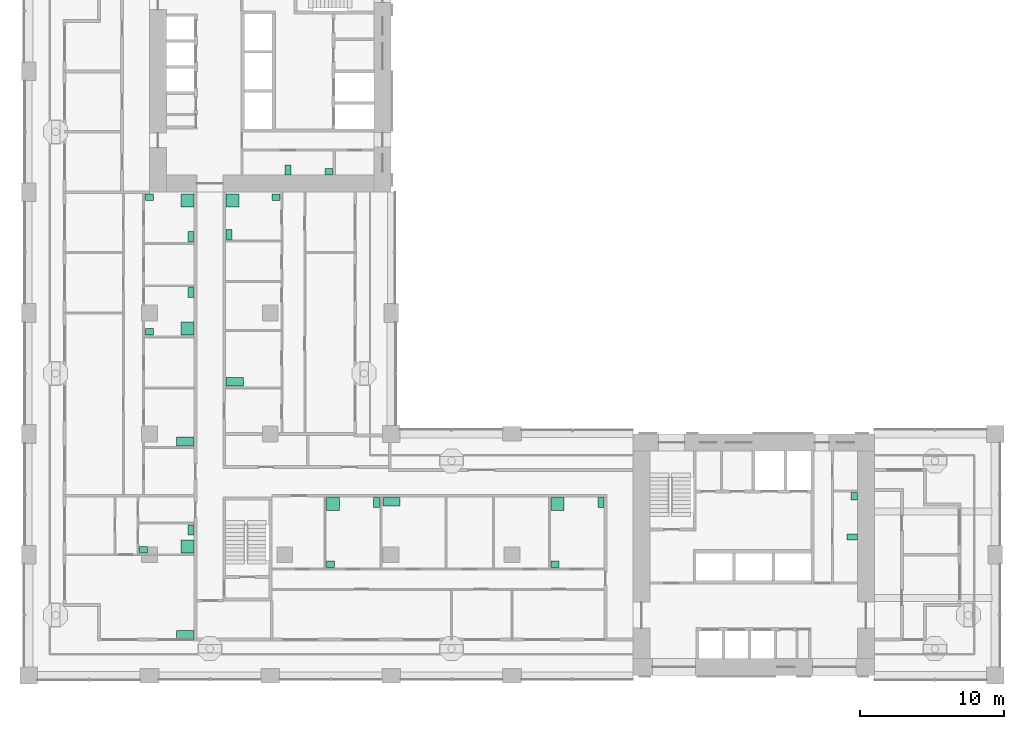
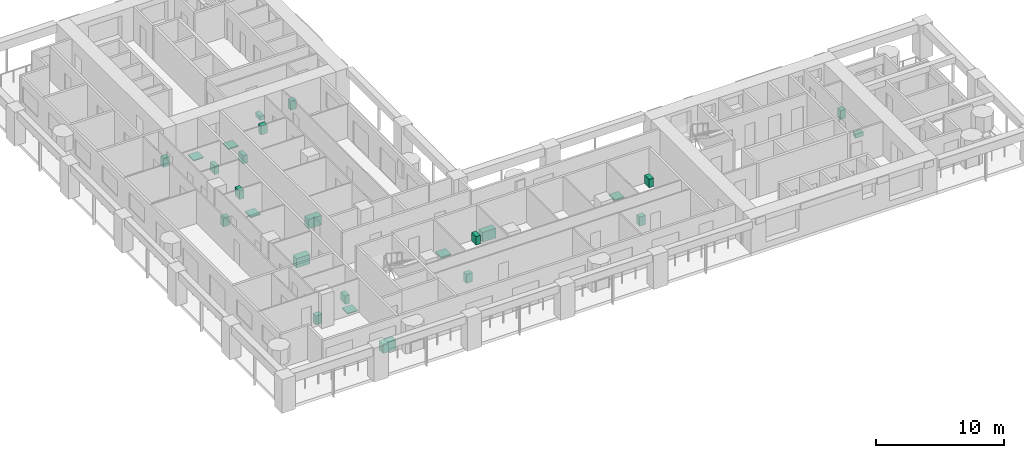
# One storey, part 16 of 18: 26 sanitary terminals.
"""IFC4 building model written with IfcOpenShell, lengths in metres."""

from ifc_helpers import new_model, si_unit, direction, frame, origin, origin_2d, place, context, subcontext, project, spatial, rectangle, extrude, material, element, save


model = new_model("IFC4")

# Units and contexts
model_context = context("Model", 3, precision=1e-05, world=origin(), true_north=direction((0.0, 1.0)))
body_context = subcontext(model_context, "Body", "Model", "MODEL_VIEW")
ifc_project = project(units=[si_unit("LENGTHUNIT", "METRE"), si_unit("AREAUNIT", "SQUARE_METRE"), si_unit("VOLUMEUNIT", "CUBIC_METRE"), si_unit("PLANEANGLEUNIT", "RADIAN"), si_unit("MASSUNIT", "GRAM", prefix="KILO")], contexts=[model_context])

# Site, building, storey
site_placement = place(None, origin())
site = spatial("IfcSite", under=ifc_project, at=site_placement, CompositionType="ELEMENT")
building_placement = place(site_placement, origin())
building = spatial("IfcBuilding", under=site, at=building_placement, Name="Vermilion Gate Residences", CompositionType="ELEMENT")
storey_placement = place(building_placement, frame((0.0, 0.0, 133.699951171875)))
storey = spatial("IfcBuildingStorey", under=building, at=storey_placement, Name="L34", CompositionType="ELEMENT", Elevation=133.699951171875)

# Sanitary terminals
ifc_material_1 = material(Name="Vitreous china")
sanitary_terminal_1_placement = place(storey_placement, frame((57.25, 18.032470703125, 0.0), z_axis=(0.0, 0.0, 1.0), x_axis=(1.0, 0.0, 0.0)))
element("IfcSanitaryTerminal", 1, at=sanitary_terminal_1_placement, inside=storey, material=ifc_material_1, Name="Toilet pan A34", PredefinedType="TOILETPAN", context=body_context, shape_type="SweptSolid", body=[
    extrude(rectangle(XDim=0.699951171875, YDim=0.39990234375, at=origin_2d()), origin(), (0.0, 0.0, 1.0), 0.39990234375),
])
sanitary_terminal_2_placement = place(storey_placement, frame((57.375, 20.864990234375, 0.0), z_axis=(0.0, 0.0, 1.0), x_axis=(1.0, 0.0, 0.0)))
element("IfcSanitaryTerminal", 2, at=sanitary_terminal_2_placement, inside=storey, material=ifc_material_1, Name="Washbasin A34", PredefinedType="WASHHANDBASIN", context=body_context, shape_type="SweptSolid", body=[
    extrude(rectangle(XDim=0.449951171875, YDim=0.5, at=origin_2d()), origin(), (0.0, 0.0, 1.0), 0.85009765625),
])
sanitary_terminal_3_placement = place(storey_placement, frame((18.032470703125, 43.550048828125, 0.0), z_axis=(0.0, 0.0, 1.0), x_axis=(1.0, 0.0, 0.0)))
element("IfcSanitaryTerminal", 3, at=sanitary_terminal_3_placement, inside=storey, material=ifc_material_1, Name="Toilet pan B34", PredefinedType="TOILETPAN", context=body_context, shape_type="SweptSolid", body=[
    extrude(rectangle(XDim=0.39990234375, YDim=0.699951171875, at=origin_2d()), origin(), (0.0, 0.0, 1.0), 0.39990234375),
])
sanitary_terminal_4_placement = place(storey_placement, frame((20.864990234375, 43.425048828125, 0.0), z_axis=(0.0, 0.0, 1.0), x_axis=(1.0, 0.0, 0.0)))
element("IfcSanitaryTerminal", 4, at=sanitary_terminal_4_placement, inside=storey, material=ifc_material_1, Name="Washbasin B34", PredefinedType="WASHHANDBASIN", context=body_context, shape_type="SweptSolid", body=[
    extrude(rectangle(XDim=0.5, YDim=0.449951171875, at=origin_2d()), origin(), (0.0, 0.0, 1.0), 0.85009765625),
])
ifc_material_2 = material(Name="Stainless steel", Category="steel")
sanitary_terminal_5_placement = place(storey_placement, frame((10.8798828125, 11.219970703125, 0.0), z_axis=(0.0, 0.0, 1.0), x_axis=(1.0, 0.0, 0.0)))
element("IfcSanitaryTerminal", 5, at=sanitary_terminal_5_placement, inside=storey, material=ifc_material_2, Name="Kitchen sink", PredefinedType="SINK", context=body_context, shape_type="SweptSolid", body=[
    extrude(rectangle(XDim=1.199951171875, YDim=0.60009765625, at=origin_2d()), origin(), (0.0, 0.0, 1.0), 0.89990234375),
])
sanitary_terminal_6_placement = place(storey_placement, frame((11.030029296875, 17.3701171875, 0.0), z_axis=(0.0, 0.0, 1.0), x_axis=(1.0, 0.0, 0.0)))
element("IfcSanitaryTerminal", 6, at=sanitary_terminal_6_placement, inside=storey, material=ifc_material_1, Name="Shower tray", PredefinedType="SHOWER", context=body_context, shape_type="SweptSolid", body=[
    extrude(rectangle(XDim=0.89990234375, YDim=0.89990234375, at=origin_2d()), origin(), (0.0, 0.0, 1.0), 0.10009765625),
])
sanitary_terminal_7_placement = place(storey_placement, frame((11.280029296875, 18.530029296875, 0.0), z_axis=(0.0, 0.0, 1.0), x_axis=(1.0, 0.0, 0.0)))
element("IfcSanitaryTerminal", 7, at=sanitary_terminal_7_placement, inside=storey, material=ifc_material_1, Name="Toilet", PredefinedType="TOILETPAN", context=body_context, shape_type="SweptSolid", body=[
    extrude(rectangle(XDim=0.39990234375, YDim=0.699951171875, at=origin_2d()), origin(), (0.0, 0.0, 1.0), 0.800048828125),
])
sanitary_terminal_8_placement = place(storey_placement, frame((7.9951171875, 17.14501953125, 0.0), z_axis=(0.0, 0.0, 1.0), x_axis=(1.0, 0.0, 0.0)))
element("IfcSanitaryTerminal", 8, at=sanitary_terminal_8_placement, inside=storey, material=ifc_material_1, Name="Wash basin", PredefinedType="WASHHANDBASIN", context=body_context, shape_type="SweptSolid", body=[
    extrude(rectangle(XDim=0.550048828125, YDim=0.449951171875, at=origin_2d()), origin(), (0.0, 0.0, 1.0), 0.85009765625),
])
sanitary_terminal_9_placement = place(storey_placement, frame((21.169921875, 20.330078125, 0.0), z_axis=(0.0, 0.0, 1.0), x_axis=(1.0, 0.0, 0.0)))
element("IfcSanitaryTerminal", 9, at=sanitary_terminal_9_placement, inside=storey, material=ifc_material_1, Name="Shower tray", PredefinedType="SHOWER", context=body_context, shape_type="SweptSolid", body=[
    extrude(rectangle(XDim=0.89990234375, YDim=0.89990234375, at=origin_2d()), origin(), (0.0, 0.0, 1.0), 0.10009765625),
])
sanitary_terminal_10_placement = place(storey_placement, frame((24.179931640625, 20.429931640625, 0.0), z_axis=(0.0, 0.0, 1.0), x_axis=(1.0, 0.0, 0.0)))
element("IfcSanitaryTerminal", 10, at=sanitary_terminal_10_placement, inside=storey, material=ifc_material_1, Name="Toilet", PredefinedType="TOILETPAN", context=body_context, shape_type="SweptSolid", body=[
    extrude(rectangle(XDim=0.39990234375, YDim=0.699951171875, at=origin_2d()), origin(), (0.0, 0.0, 1.0), 0.800048828125),
])
sanitary_terminal_11_placement = place(storey_placement, frame((20.9951171875, 16.14501953125, 0.0), z_axis=(0.0, 0.0, 1.0), x_axis=(1.0, 0.0, 0.0)))
element("IfcSanitaryTerminal", 11, at=sanitary_terminal_11_placement, inside=storey, material=ifc_material_1, Name="Wash basin", PredefinedType="WASHHANDBASIN", context=body_context, shape_type="SweptSolid", body=[
    extrude(rectangle(XDim=0.550048828125, YDim=0.449951171875, at=origin_2d()), origin(), (0.0, 0.0, 1.0), 0.85009765625),
])
sanitary_terminal_12_placement = place(storey_placement, frame((25.219970703125, 20.47998046875, 0.0), z_axis=(0.0, 0.0, 1.0), x_axis=(1.0, 0.0, 0.0)))
element("IfcSanitaryTerminal", 12, at=sanitary_terminal_12_placement, inside=storey, material=ifc_material_2, Name="Kitchen sink", PredefinedType="SINK", context=body_context, shape_type="SweptSolid", body=[
    extrude(rectangle(XDim=1.199951171875, YDim=0.60009765625, at=origin_2d()), origin(), (0.0, 0.0, 1.0), 0.89990234375),
])
sanitary_terminal_13_placement = place(storey_placement, frame((36.77001953125, 20.330078125, 0.0), z_axis=(0.0, 0.0, 1.0), x_axis=(1.0, 0.0, 0.0)))
element("IfcSanitaryTerminal", 13, at=sanitary_terminal_13_placement, inside=storey, material=ifc_material_1, Name="Shower tray", PredefinedType="SHOWER", context=body_context, shape_type="SweptSolid", body=[
    extrude(rectangle(XDim=0.89990234375, YDim=0.89990234375, at=origin_2d()), origin(), (0.0, 0.0, 1.0), 0.10009765625),
])
sanitary_terminal_14_placement = place(storey_placement, frame((39.780029296875, 20.429931640625, 0.0), z_axis=(0.0, 0.0, 1.0), x_axis=(1.0, 0.0, 0.0)))
element("IfcSanitaryTerminal", 14, at=sanitary_terminal_14_placement, inside=storey, material=ifc_material_1, Name="Toilet", PredefinedType="TOILETPAN", context=body_context, shape_type="SweptSolid", body=[
    extrude(rectangle(XDim=0.39990234375, YDim=0.699951171875, at=origin_2d()), origin(), (0.0, 0.0, 1.0), 0.800048828125),
])
sanitary_terminal_15_placement = place(storey_placement, frame((36.594970703125, 16.14501953125, 0.0), z_axis=(0.0, 0.0, 1.0), x_axis=(1.0, 0.0, 0.0)))
element("IfcSanitaryTerminal", 15, at=sanitary_terminal_15_placement, inside=storey, material=ifc_material_1, Name="Wash basin", PredefinedType="WASHHANDBASIN", context=body_context, shape_type="SweptSolid", body=[
    extrude(rectangle(XDim=0.550048828125, YDim=0.449951171875, at=origin_2d()), origin(), (0.0, 0.0, 1.0), 0.85009765625),
])
sanitary_terminal_16_placement = place(storey_placement, frame((10.8798828125, 24.669921875, 0.0), z_axis=(0.0, 0.0, 1.0), x_axis=(1.0, 0.0, 0.0)))
element("IfcSanitaryTerminal", 16, at=sanitary_terminal_16_placement, inside=storey, material=ifc_material_2, Name="Kitchen sink", PredefinedType="SINK", context=body_context, shape_type="SweptSolid", body=[
    extrude(rectangle(XDim=1.199951171875, YDim=0.60009765625, at=origin_2d()), origin(), (0.0, 0.0, 1.0), 0.89990234375),
])
sanitary_terminal_17_placement = place(storey_placement, frame((11.030029296875, 32.52001953125, 0.0), z_axis=(0.0, 0.0, 1.0), x_axis=(1.0, 0.0, 0.0)))
element("IfcSanitaryTerminal", 17, at=sanitary_terminal_17_placement, inside=storey, material=ifc_material_1, Name="Shower tray", PredefinedType="SHOWER", context=body_context, shape_type="SweptSolid", body=[
    extrude(rectangle(XDim=0.89990234375, YDim=0.89990234375, at=origin_2d()), origin(), (0.0, 0.0, 1.0), 0.10009765625),
])
sanitary_terminal_18_placement = place(storey_placement, frame((11.280029296875, 35.030029296875, 0.0), z_axis=(0.0, 0.0, 1.0), x_axis=(1.0, 0.0, 0.0)))
element("IfcSanitaryTerminal", 18, at=sanitary_terminal_18_placement, inside=storey, material=ifc_material_1, Name="Toilet", PredefinedType="TOILETPAN", context=body_context, shape_type="SweptSolid", body=[
    extrude(rectangle(XDim=0.39990234375, YDim=0.699951171875, at=origin_2d()), origin(), (0.0, 0.0, 1.0), 0.800048828125),
])
sanitary_terminal_19_placement = place(storey_placement, frame((8.39501953125, 32.294921875, 0.0), z_axis=(0.0, 0.0, 1.0), x_axis=(1.0, 0.0, 0.0)))
element("IfcSanitaryTerminal", 19, at=sanitary_terminal_19_placement, inside=storey, material=ifc_material_1, Name="Wash basin", PredefinedType="WASHHANDBASIN", context=body_context, shape_type="SweptSolid", body=[
    extrude(rectangle(XDim=0.550048828125, YDim=0.449951171875, at=origin_2d()), origin(), (0.0, 0.0, 1.0), 0.85009765625),
])
sanitary_terminal_20_placement = place(storey_placement, frame((11.030029296875, 41.429931640625, 0.0), z_axis=(0.0, 0.0, 1.0), x_axis=(1.0, 0.0, 0.0)))
element("IfcSanitaryTerminal", 20, at=sanitary_terminal_20_placement, inside=storey, material=ifc_material_1, Name="Shower tray", PredefinedType="SHOWER", context=body_context, shape_type="SweptSolid", body=[
    extrude(rectangle(XDim=0.89990234375, YDim=0.89990234375, at=origin_2d()), origin(), (0.0, 0.0, 1.0), 0.10009765625),
])
sanitary_terminal_21_placement = place(storey_placement, frame((11.280029296875, 38.919921875, 0.0), z_axis=(0.0, 0.0, 1.0), x_axis=(1.0, 0.0, 0.0)))
element("IfcSanitaryTerminal", 21, at=sanitary_terminal_21_placement, inside=storey, material=ifc_material_1, Name="Toilet", PredefinedType="TOILETPAN", context=body_context, shape_type="SweptSolid", body=[
    extrude(rectangle(XDim=0.39990234375, YDim=0.699951171875, at=origin_2d()), origin(), (0.0, 0.0, 1.0), 0.800048828125),
])
sanitary_terminal_22_placement = place(storey_placement, frame((8.39501953125, 41.655029296875, 0.0), z_axis=(0.0, 0.0, 1.0), x_axis=(1.0, 0.0, 0.0)))
element("IfcSanitaryTerminal", 22, at=sanitary_terminal_22_placement, inside=storey, material=ifc_material_1, Name="Wash basin", PredefinedType="WASHHANDBASIN", context=body_context, shape_type="SweptSolid", body=[
    extrude(rectangle(XDim=0.550048828125, YDim=0.449951171875, at=origin_2d()), origin(), (0.0, 0.0, 1.0), 0.85009765625),
])
sanitary_terminal_23_placement = place(storey_placement, frame((14.320068359375, 28.820068359375, 0.0), z_axis=(0.0, 0.0, 1.0), x_axis=(1.0, 0.0, 0.0)))
element("IfcSanitaryTerminal", 23, at=sanitary_terminal_23_placement, inside=storey, material=ifc_material_2, Name="Kitchen sink", PredefinedType="SINK", context=body_context, shape_type="SweptSolid", body=[
    extrude(rectangle(XDim=1.199951171875, YDim=0.60009765625, at=origin_2d()), origin(), (0.0, 0.0, 1.0), 0.89990234375),
])
sanitary_terminal_24_placement = place(storey_placement, frame((14.169921875, 41.429931640625, 0.0), z_axis=(0.0, 0.0, 1.0), x_axis=(1.0, 0.0, 0.0)))
element("IfcSanitaryTerminal", 24, at=sanitary_terminal_24_placement, inside=storey, material=ifc_material_1, Name="Shower tray", PredefinedType="SHOWER", context=body_context, shape_type="SweptSolid", body=[
    extrude(rectangle(XDim=0.89990234375, YDim=0.89990234375, at=origin_2d()), origin(), (0.0, 0.0, 1.0), 0.10009765625),
])
sanitary_terminal_25_placement = place(storey_placement, frame((13.919921875, 39.070068359375, 0.0), z_axis=(0.0, 0.0, 1.0), x_axis=(1.0, 0.0, 0.0)))
element("IfcSanitaryTerminal", 25, at=sanitary_terminal_25_placement, inside=storey, material=ifc_material_1, Name="Toilet", PredefinedType="TOILETPAN", context=body_context, shape_type="SweptSolid", body=[
    extrude(rectangle(XDim=0.39990234375, YDim=0.699951171875, at=origin_2d()), origin(), (0.0, 0.0, 1.0), 0.800048828125),
])
sanitary_terminal_26_placement = place(storey_placement, frame((17.205078125, 41.655029296875, 0.0), z_axis=(0.0, 0.0, 1.0), x_axis=(1.0, 0.0, 0.0)))
element("IfcSanitaryTerminal", 26, at=sanitary_terminal_26_placement, inside=storey, material=ifc_material_1, Name="Wash basin", PredefinedType="WASHHANDBASIN", context=body_context, shape_type="SweptSolid", body=[
    extrude(rectangle(XDim=0.550048828125, YDim=0.449951171875, at=origin_2d()), origin(), (0.0, 0.0, 1.0), 0.85009765625),
])

save(model, "model.ifc")
